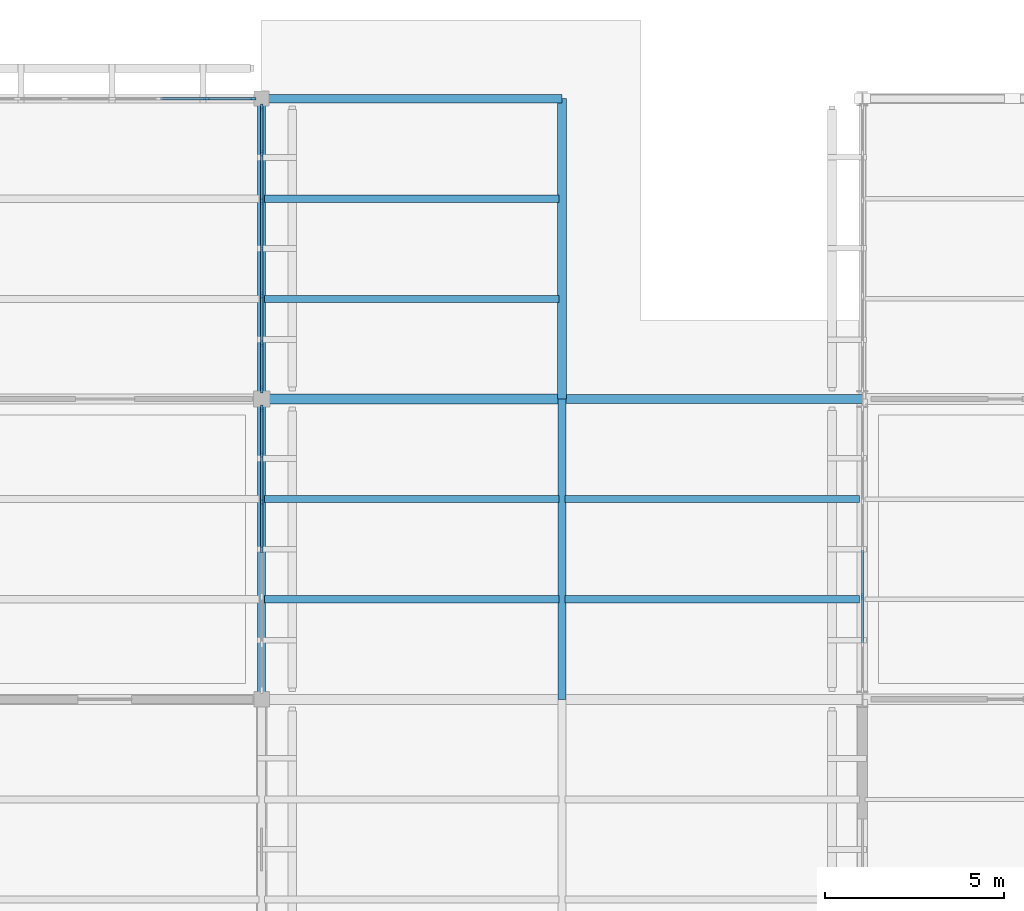
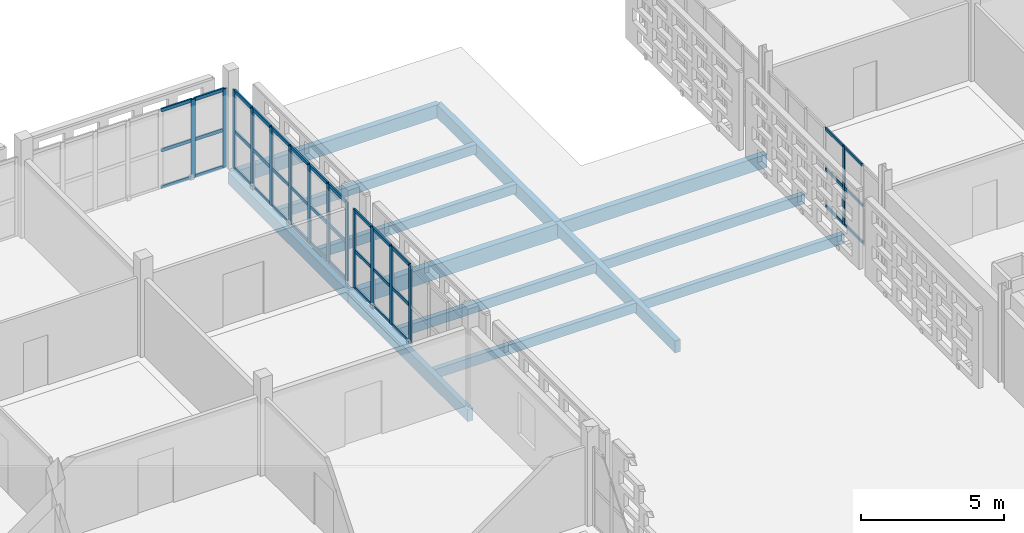
# One storey, part 41 of 166: 53 members, 13 beams, 4 elements without a shape of their own.
"""IFC4 building model written with IfcOpenShell, lengths in metres."""

from ifc_helpers import new_model, si_unit, direction, frame, origin, origin_2d, place, context, subcontext, project, spatial, rectangle, extrude, material, layer, layer_set, material_profile, profile_set, type_object, element, aggregate, save


model = new_model("IFC4")

# Units and contexts
model_context = context("Model", 3, precision=1e-05, world=origin(), true_north=direction((0.0, 1.0)))
body_context = subcontext(model_context, "Body", "Model", "MODEL_VIEW")
ifc_project = project(units=[si_unit("LENGTHUNIT", "METRE"), si_unit("AREAUNIT", "SQUARE_METRE"), si_unit("VOLUMEUNIT", "CUBIC_METRE"), si_unit("PLANEANGLEUNIT", "RADIAN"), si_unit("MASSUNIT", "GRAM", prefix="KILO")], contexts=[model_context])

# Site, building, storey
site_placement = place(None, origin())
site = spatial("IfcSite", under=ifc_project, at=site_placement, CompositionType="ELEMENT")
building_placement = place(site_placement, origin())
building = spatial("IfcBuilding", under=site, at=building_placement, Name="Varnapada Polytechnic", CompositionType="ELEMENT")
storey_placement = place(building_placement, frame((0.0, 0.0, 9.60009765625)))
storey = spatial("IfcBuildingStorey", under=building, at=storey_placement, Name="L02", CompositionType="ELEMENT", Elevation=9.60009765625)

# Beams
ifc_material_1 = material(Name="Glulam GL32h", Category="wood")
ifc_material_profile_1 = material_profile(ifc_material_1, rectangle(XDim=0.280029296875, YDim=0.639892578125, at=origin_2d()), Name="GL 280x640")
ifc_profile_set_1 = profile_set([ifc_material_profile_1], Name="Glulam GL32h")
beam_type_1 = type_object("IfcBeamType", Name="Laboratory primary glulam girder GG-02 (GL 280x640)", PredefinedType="BEAM", material=ifc_profile_set_1)
beam_1_placement = place(storey_placement, frame((33.60009765625, 117.60009765625, -0.590087890625), z_axis=(1.0, 0.0, 0.0), x_axis=(0.0, 1.0, 0.0)))
element("IfcBeam", 1, at=beam_1_placement, inside=storey, type_object=beam_type_1, Name="L02 beam X 5-6 at Y15", PredefinedType="BEAM", context=body_context, shape_type="SweptSolid", body=[
    extrude(rectangle(XDim=0.280029296875, YDim=0.639892578125, at=origin_2d()), origin(), (0.0, 0.0, 1.0), 8.39990234375),
])
ifc_material_profile_2 = material_profile(ifc_material_1, rectangle(XDim=0.219970703125, YDim=0.52001953125, at=origin_2d()), Name="GL 220x520")
ifc_profile_set_2 = profile_set([ifc_material_profile_2], Name="Glulam GL32h")
beam_type_2 = type_object("IfcBeamType", Name="Laboratory transverse glulam beam GB-12 (GL 220x520)", PredefinedType="BEAM", material=ifc_profile_set_2)
beam_2_placement = place(storey_placement, frame((33.60009765625, 109.199951171875, -0.530029296875), z_axis=(0.0, 1.0, 0.0), x_axis=(-1.0, 0.0, 0.0)))
element("IfcBeam", 2, at=beam_2_placement, inside=storey, type_object=beam_type_2, Name="L02 beam Y 14-15 at X5", PredefinedType="BEAM", context=body_context, shape_type="SweptSolid", body=[
    extrude(rectangle(XDim=0.219970703125, YDim=0.52001953125, at=origin_2d()), origin(), (0.0, 0.0, 1.0), 8.400146484375),
])
beam_3_placement = place(storey_placement, frame((33.60009765625, 117.60009765625, -0.530029296875), z_axis=(0.0, 1.0, 0.0), x_axis=(-1.0, 0.0, 0.0)))
element("IfcBeam", 3, at=beam_3_placement, inside=storey, type_object=beam_type_2, Name="L02 beam Y 15-16 at X5", PredefinedType="BEAM", context=body_context, shape_type="SweptSolid", body=[
    extrude(rectangle(XDim=0.219970703125, YDim=0.52001953125, at=origin_2d()), origin(), (0.0, 0.0, 1.0), 8.39990234375),
])
beam_4_placement = place(storey_placement, frame((42.0, 109.199951171875, -0.530029296875), z_axis=(0.0, 1.0, 0.0), x_axis=(-1.0, 0.0, 0.0)))
element("IfcBeam", 4, at=beam_4_placement, inside=storey, type_object=beam_type_2, Name="L02 beam Y 14-15 at X6", PredefinedType="BEAM", context=body_context, shape_type="SweptSolid", body=[
    extrude(rectangle(XDim=0.219970703125, YDim=0.52001953125, at=origin_2d()), origin(), (0.0, 0.0, 1.0), 8.400146484375),
])
ifc_material_profile_3 = material_profile(ifc_material_1, rectangle(XDim=0.199951171875, YDim=0.39990234375, at=origin_2d()), Name="GL 200x400")
ifc_profile_set_3 = profile_set([ifc_material_profile_3], Name="Glulam GL32h")
beam_type_3 = type_object("IfcBeamType", Name="Library/laboratory glulam floor joist GJ-01 (GL 200x400)", PredefinedType="JOIST", material=ifc_profile_set_3)
for number, where, z_axis, x_axis, name in (
    (5, (33.679931640625, 112.0, -0.47021484375), (1.0, 0.0, 0.0), (0.0, 1.0, 0.0), "L02 floor joist 5/14.1"),
    (6, (33.679931640625, 114.800048828125, -0.47021484375), (1.0, 0.0, 0.0), (0.0, 1.0, 0.0), "L02 floor joist 5/14.2"),
    (7, (33.679931640625, 120.39990234375, -0.47021484375), (1.0, 0.0, 0.0), (0.0, 1.0, 0.0), "L02 floor joist 5/15.1"),
    (8, (33.679931640625, 123.199951171875, -0.47021484375), (1.0, 0.0, 0.0), (0.0, 1.0, 0.0), "L02 floor joist 5/15.2"),
    (9, (42.080078125, 112.0, -0.47021484375), (1.0, 0.0, 0.0), (0.0, 1.0, 0.0), "L02 floor joist 6/14.1"),
    (10, (42.080078125, 114.800048828125, -0.47021484375), (1.0, 0.0, 0.0), (0.0, 1.0, 0.0), "L02 floor joist 6/14.2"),
):
    element("IfcBeam", number, at=place(storey_placement, frame(where, z_axis=z_axis, x_axis=x_axis)), inside=storey, type_object=beam_type_3, Name=name, PredefinedType="JOIST", context=body_context, shape_type="SweptSolid", body=[
        extrude(rectangle(XDim=0.199951171875, YDim=0.39990234375, at=origin_2d()), origin(), (0.0, 0.0, 1.0), 8.239990234375),
    ])

# Curtain wall, member
ifc_material_2 = material(Name="Double low-E laminated glass", Category="glass")
ifc_layer_1 = layer(ifc_material_2, 0.159912109375)
ifc_layer_set_1 = layer_set([ifc_layer_1], Name="Double low-E laminated glass")
curtain_wall_type_1 = type_object("IfcCurtainWallType", Name="Curtain Wall CW-02", PredefinedType="NOTDEFINED", material=ifc_layer_set_1)
curtain_wall_1_placement = place(storey_placement, origin())
curtain_wall_1 = element("IfcCurtainWall", 11, at=curtain_wall_1_placement, inside=storey, type_object=curtain_wall_type_1, Name="L02 unitised curtain wall CW-02 (160)", PredefinedType="NOTDEFINED")
ifc_material_3 = material(Name="Anodised aluminium", Category="aluminium")
ifc_material_profile_4 = material_profile(ifc_material_3, rectangle(XDim=0.06005859375, YDim=0.159912109375, at=origin_2d()), Name="ALU M60x160")
ifc_profile_set_4 = profile_set([ifc_material_profile_4], Name="Anodised aluminium")
member_type_1 = type_object("IfcMemberType", Name="Mullion M-01", PredefinedType="MULLION", material=ifc_profile_set_4)
member_1_placement = place(storey_placement, frame((50.39990234375, 112.074951171875, 0.0), z_axis=(0.0, 0.0, 1.0), x_axis=(-1.0, 0.0, 0.0)))
member_1 = element("IfcMember", 12, at=member_1_placement, type_object=member_type_1, Name="CW-02 mullion 3", PredefinedType="MULLION", context=body_context, shape_type="SweptSolid", body=[
    extrude(rectangle(XDim=0.06005859375, YDim=0.159912109375, at=origin_2d()), origin(), (0.0, 0.0, 1.0), 3.35986328125),
])

# Curtain wall, members
ifc_layer_2 = layer(ifc_material_2, 0.179931640625)
ifc_layer_set_2 = layer_set([ifc_layer_2], Name="Double low-E laminated glass")
curtain_wall_type_2 = type_object("IfcCurtainWallType", Name="Curtain Wall CW-03", PredefinedType="NOTDEFINED", material=ifc_layer_set_2)
curtain_wall_2_placement = place(storey_placement, origin())
curtain_wall_2 = element("IfcCurtainWall", 13, at=curtain_wall_2_placement, inside=storey, type_object=curtain_wall_type_2, Name="L02 unitised curtain wall CW-03 (148)", PredefinedType="NOTDEFINED")
ifc_material_profile_5 = material_profile(ifc_material_3, rectangle(XDim=0.06494140625, YDim=0.179931640625, at=origin_2d()), Name="ALU M65x180")
ifc_profile_set_5 = profile_set([ifc_material_profile_5], Name="Anodised aluminium")
member_type_2 = type_object("IfcMemberType", Name="Mullion M-02", PredefinedType="MULLION", material=ifc_profile_set_5)
member_2_placement = place(storey_placement, frame((33.60009765625, 117.33740234375, 0.0), z_axis=(0.0, 0.0, 1.0), x_axis=(1.0, 0.0, 0.0)))
member_2 = element("IfcMember", 14, at=member_2_placement, type_object=member_type_2, Name="CW-03 mullion 1", PredefinedType="MULLION", context=body_context, shape_type="SweptSolid", body=[
    extrude(rectangle(XDim=0.06494140625, YDim=0.179931640625, at=origin_2d()), origin(), (0.0, 0.0, 1.0), 3.35986328125),
])
member_3_placement = place(storey_placement, frame((33.60009765625, 116.044921875, 0.0), z_axis=(0.0, 0.0, 1.0), x_axis=(1.0, 0.0, 0.0)))
member_3 = element("IfcMember", 15, at=member_3_placement, type_object=member_type_2, Name="CW-03 mullion 2", PredefinedType="MULLION", context=body_context, shape_type="SweptSolid", body=[
    extrude(rectangle(XDim=0.06494140625, YDim=0.179931640625, at=origin_2d()), origin(), (0.0, 0.0, 1.0), 3.35986328125),
])
member_4_placement = place(storey_placement, frame((33.60009765625, 114.719970703125, 0.0), z_axis=(0.0, 0.0, 1.0), x_axis=(1.0, 0.0, 0.0)))
member_4 = element("IfcMember", 16, at=member_4_placement, type_object=member_type_2, Name="CW-03 mullion 3", PredefinedType="MULLION", context=body_context, shape_type="SweptSolid", body=[
    extrude(rectangle(XDim=0.06494140625, YDim=0.179931640625, at=origin_2d()), origin(), (0.0, 0.0, 1.0), 3.35986328125),
])
member_5_placement = place(storey_placement, frame((33.60009765625, 113.39501953125, 0.0), z_axis=(0.0, 0.0, 1.0), x_axis=(1.0, 0.0, 0.0)))
member_5 = element("IfcMember", 17, at=member_5_placement, type_object=member_type_2, Name="CW-03 mullion 4", PredefinedType="MULLION", context=body_context, shape_type="SweptSolid", body=[
    extrude(rectangle(XDim=0.06494140625, YDim=0.179931640625, at=origin_2d()), origin(), (0.0, 0.0, 1.0), 3.35986328125),
])

curtain_wall_3_placement = place(storey_placement, origin())
curtain_wall_3 = element("IfcCurtainWall", 18, at=curtain_wall_3_placement, inside=storey, type_object=curtain_wall_type_2, Name="L02 unitised curtain wall CW-03 (149)", PredefinedType="NOTDEFINED")
member_6_placement = place(storey_placement, frame((32.06494140625, 126.0, 0.0), z_axis=(0.0, 0.0, 1.0), x_axis=(0.0, 1.0, 0.0)))
member_6 = element("IfcMember", 19, at=member_6_placement, type_object=member_type_2, Name="CW-03 mullion 6", PredefinedType="MULLION", context=body_context, shape_type="SweptSolid", body=[
    extrude(rectangle(XDim=0.06494140625, YDim=0.179931640625, at=origin_2d()), origin(), (0.0, 0.0, 1.0), 3.35986328125),
])
member_7_placement = place(storey_placement, frame((33.357421875, 126.0, 0.0), z_axis=(0.0, 0.0, 1.0), x_axis=(0.0, 1.0, 0.0)))
member_7 = element("IfcMember", 20, at=member_7_placement, type_object=member_type_2, Name="CW-03 mullion 7", PredefinedType="MULLION", context=body_context, shape_type="SweptSolid", body=[
    extrude(rectangle(XDim=0.06494140625, YDim=0.179931640625, at=origin_2d()), origin(), (0.0, 0.0, 1.0), 3.35986328125),
])

curtain_wall_4_placement = place(storey_placement, origin())
curtain_wall_4 = element("IfcCurtainWall", 21, at=curtain_wall_4_placement, inside=storey, type_object=curtain_wall_type_2, Name="L02 unitised curtain wall CW-03 (150)", PredefinedType="NOTDEFINED")
member_8_placement = place(storey_placement, frame((33.60009765625, 125.757568359375, 0.0), z_axis=(0.0, 0.0, 1.0), x_axis=(1.0, 0.0, 0.0)))
member_8 = element("IfcMember", 22, at=member_8_placement, type_object=member_type_2, Name="CW-03 mullion 1", PredefinedType="MULLION", context=body_context, shape_type="SweptSolid", body=[
    extrude(rectangle(XDim=0.06494140625, YDim=0.179931640625, at=origin_2d()), origin(), (0.0, 0.0, 1.0), 3.35986328125),
])
member_9_placement = place(storey_placement, frame((33.60009765625, 124.46337890625, 0.0), z_axis=(0.0, 0.0, 1.0), x_axis=(1.0, 0.0, 0.0)))
member_9 = element("IfcMember", 23, at=member_9_placement, type_object=member_type_2, Name="CW-03 mullion 2", PredefinedType="MULLION", context=body_context, shape_type="SweptSolid", body=[
    extrude(rectangle(XDim=0.06494140625, YDim=0.179931640625, at=origin_2d()), origin(), (0.0, 0.0, 1.0), 3.35986328125),
])
member_10_placement = place(storey_placement, frame((33.60009765625, 123.13671875, 0.0), z_axis=(0.0, 0.0, 1.0), x_axis=(1.0, 0.0, 0.0)))
member_10 = element("IfcMember", 24, at=member_10_placement, type_object=member_type_2, Name="CW-03 mullion 3", PredefinedType="MULLION", context=body_context, shape_type="SweptSolid", body=[
    extrude(rectangle(XDim=0.06494140625, YDim=0.179931640625, at=origin_2d()), origin(), (0.0, 0.0, 1.0), 3.35986328125),
])
member_11_placement = place(storey_placement, frame((33.60009765625, 121.81005859375, 0.0), z_axis=(0.0, 0.0, 1.0), x_axis=(1.0, 0.0, 0.0)))
member_11 = element("IfcMember", 25, at=member_11_placement, type_object=member_type_2, Name="CW-03 mullion 4", PredefinedType="MULLION", context=body_context, shape_type="SweptSolid", body=[
    extrude(rectangle(XDim=0.06494140625, YDim=0.179931640625, at=origin_2d()), origin(), (0.0, 0.0, 1.0), 3.35986328125),
])
member_12_placement = place(storey_placement, frame((33.60009765625, 120.4833984375, 0.0), z_axis=(0.0, 0.0, 1.0), x_axis=(1.0, 0.0, 0.0)))
member_12 = element("IfcMember", 26, at=member_12_placement, type_object=member_type_2, Name="CW-03 mullion 5", PredefinedType="MULLION", context=body_context, shape_type="SweptSolid", body=[
    extrude(rectangle(XDim=0.06494140625, YDim=0.179931640625, at=origin_2d()), origin(), (0.0, 0.0, 1.0), 3.35986328125),
])
member_13_placement = place(storey_placement, frame((33.60009765625, 119.15673828125, 0.0), z_axis=(0.0, 0.0, 1.0), x_axis=(1.0, 0.0, 0.0)))
member_13 = element("IfcMember", 27, at=member_13_placement, type_object=member_type_2, Name="CW-03 mullion 6", PredefinedType="MULLION", context=body_context, shape_type="SweptSolid", body=[
    extrude(rectangle(XDim=0.06494140625, YDim=0.179931640625, at=origin_2d()), origin(), (0.0, 0.0, 1.0), 3.35986328125),
])
member_14_placement = place(storey_placement, frame((33.60009765625, 117.862548828125, 0.0), z_axis=(0.0, 0.0, 1.0), x_axis=(1.0, 0.0, 0.0)))
member_14 = element("IfcMember", 28, at=member_14_placement, type_object=member_type_2, Name="CW-03 mullion 7", PredefinedType="MULLION", context=body_context, shape_type="SweptSolid", body=[
    extrude(rectangle(XDim=0.06494140625, YDim=0.179931640625, at=origin_2d()), origin(), (0.0, 0.0, 1.0), 3.35986328125),
])

# Beams
ifc_material_profile_6 = material_profile(ifc_material_1, rectangle(XDim=0.239990234375, YDim=0.56005859375, at=origin_2d()), Name="GL 240x560")
ifc_profile_set_6 = profile_set([ifc_material_profile_6], Name="Glulam GL32h")
beam_type_4 = type_object("IfcBeamType", Name="Perimeter glulam spandrel beam SP-02 (GL 240x560)", PredefinedType="SPANDREL", material=ifc_profile_set_6)
for number, where, z_axis, x_axis, name in (
    (29, (33.60009765625, 126.0, -0.550048828125), (1.0, 0.0, 0.0), (0.0, 1.0, 0.0), "L02 beam X 5-6 at Y16"),
    (30, (42.0, 117.60009765625, -0.550048828125), (1.0, 0.0, 0.0), (0.0, 1.0, 0.0), "L02 beam X 6-7 at Y15"),
    (31, (42.0, 117.60009765625, -0.550048828125), (0.0, 1.0, 0.0), (-1.0, 0.0, 0.0), "L02 beam Y 15-16 at X6"),
):
    element("IfcBeam", number, at=place(storey_placement, frame(where, z_axis=z_axis, x_axis=x_axis)), inside=storey, type_object=beam_type_4, Name=name, PredefinedType="SPANDREL", context=body_context, shape_type="SweptSolid", body=[
        extrude(rectangle(XDim=0.239990234375, YDim=0.56005859375, at=origin_2d()), origin(), (0.0, 0.0, 1.0), 8.39990234375),
    ])

# Member
ifc_material_profile_7 = material_profile(ifc_material_3, rectangle(XDim=0.06005859375, YDim=0.1201171875, at=origin_2d()), Name="ALU T60x120")
ifc_profile_set_7 = profile_set([ifc_material_profile_7], Name="Anodised aluminium")
member_type_3 = type_object("IfcMemberType", Name="Transom T-01", PredefinedType="USERDEFINED", material=ifc_profile_set_7)
member_15_placement = place(storey_placement, frame((50.39990234375, 110.780029296875, 0.02978515625), z_axis=(0.0, 1.0, 0.0), x_axis=(-1.0, 0.0, 0.0)))
member_15 = element("IfcMember", 32, at=member_15_placement, type_object=member_type_3, Name="CW-02 transom 2.1", ObjectType="TRANSOM", PredefinedType="USERDEFINED", context=body_context, shape_type="SweptSolid", body=[
    extrude(rectangle(XDim=0.06005859375, YDim=0.1201171875, at=origin_2d()), origin(), (0.0, 0.0, 1.0), 1.264892578125),
])

member_16_placement = place(storey_placement, frame((50.39990234375, 110.780029296875, 1.61279296875), z_axis=(0.0, 1.0, 0.0), x_axis=(-1.0, 0.0, 0.0)))
member_16 = element("IfcMember", 33, at=member_16_placement, type_object=member_type_3, Name="CW-02 transom 2.2", ObjectType="TRANSOM", PredefinedType="USERDEFINED", context=body_context, shape_type="SweptSolid", body=[
    extrude(rectangle(XDim=0.06005859375, YDim=0.1201171875, at=origin_2d()), origin(), (0.0, 0.0, 1.0), 1.264892578125),
])

member_17_placement = place(storey_placement, frame((50.39990234375, 110.780029296875, 3.329833984375), z_axis=(0.0, 1.0, 0.0), x_axis=(-1.0, 0.0, 0.0)))
member_17 = element("IfcMember", 34, at=member_17_placement, type_object=member_type_3, Name="CW-02 transom 2.3", ObjectType="TRANSOM", PredefinedType="USERDEFINED", context=body_context, shape_type="SweptSolid", body=[
    extrude(rectangle(XDim=0.06005859375, YDim=0.1201171875, at=origin_2d()), origin(), (0.0, 0.0, 1.0), 1.264892578125),
])

member_18_placement = place(storey_placement, frame((50.39990234375, 112.10498046875, 0.02978515625), z_axis=(0.0, 1.0, 0.0), x_axis=(-1.0, 0.0, 0.0)))
member_18 = element("IfcMember", 35, at=member_18_placement, type_object=member_type_3, Name="CW-02 transom 3.1", ObjectType="TRANSOM", PredefinedType="USERDEFINED", context=body_context, shape_type="SweptSolid", body=[
    extrude(rectangle(XDim=0.06005859375, YDim=0.1201171875, at=origin_2d()), origin(), (0.0, 0.0, 1.0), 1.26513671875),
])

member_19_placement = place(storey_placement, frame((50.39990234375, 112.10498046875, 1.61279296875), z_axis=(0.0, 1.0, 0.0), x_axis=(-1.0, 0.0, 0.0)))
member_19 = element("IfcMember", 36, at=member_19_placement, type_object=member_type_3, Name="CW-02 transom 3.2", ObjectType="TRANSOM", PredefinedType="USERDEFINED", context=body_context, shape_type="SweptSolid", body=[
    extrude(rectangle(XDim=0.06005859375, YDim=0.1201171875, at=origin_2d()), origin(), (0.0, 0.0, 1.0), 1.26513671875),
])

member_20_placement = place(storey_placement, frame((50.39990234375, 112.10498046875, 3.329833984375), z_axis=(0.0, 1.0, 0.0), x_axis=(-1.0, 0.0, 0.0)))
member_20 = element("IfcMember", 37, at=member_20_placement, type_object=member_type_3, Name="CW-02 transom 3.3", ObjectType="TRANSOM", PredefinedType="USERDEFINED", context=body_context, shape_type="SweptSolid", body=[
    extrude(rectangle(XDim=0.06005859375, YDim=0.1201171875, at=origin_2d()), origin(), (0.0, 0.0, 1.0), 1.26513671875),
])

aggregate(curtain_wall_1, [member_1, member_15, member_16, member_17, member_18, member_19, member_20])

ifc_material_profile_8 = material_profile(ifc_material_3, rectangle(XDim=0.06494140625, YDim=0.139892578125, at=origin_2d()), Name="ALU T65x140")
ifc_profile_set_8 = profile_set([ifc_material_profile_8], Name="Anodised aluminium")
member_type_4 = type_object("IfcMemberType", Name="Transom T-02", PredefinedType="USERDEFINED", material=ifc_profile_set_8)
member_21_placement = place(storey_placement, frame((33.60009765625, 117.304931640625, 0.032470703125), z_axis=(0.0, -1.0, 0.0), x_axis=(1.0, 0.0, 0.0)))
member_21 = element("IfcMember", 38, at=member_21_placement, type_object=member_type_4, Name="CW-03 transom 1.1", ObjectType="TRANSOM", PredefinedType="USERDEFINED", context=body_context, shape_type="SweptSolid", body=[
    extrude(rectangle(XDim=0.06494140625, YDim=0.139892578125, at=origin_2d()), origin(), (0.0, 0.0, 1.0), 1.2275390625),
])

member_22_placement = place(storey_placement, frame((33.60009765625, 117.304931640625, 1.61279296875), z_axis=(0.0, -1.0, 0.0), x_axis=(1.0, 0.0, 0.0)))
member_22 = element("IfcMember", 39, at=member_22_placement, type_object=member_type_4, Name="CW-03 transom 1.2", ObjectType="TRANSOM", PredefinedType="USERDEFINED", context=body_context, shape_type="SweptSolid", body=[
    extrude(rectangle(XDim=0.06494140625, YDim=0.139892578125, at=origin_2d()), origin(), (0.0, 0.0, 1.0), 1.2275390625),
])

member_23_placement = place(storey_placement, frame((33.60009765625, 117.304931640625, 3.327392578125), z_axis=(0.0, -1.0, 0.0), x_axis=(1.0, 0.0, 0.0)))
member_23 = element("IfcMember", 40, at=member_23_placement, type_object=member_type_4, Name="CW-03 transom 1.3", ObjectType="TRANSOM", PredefinedType="USERDEFINED", context=body_context, shape_type="SweptSolid", body=[
    extrude(rectangle(XDim=0.06494140625, YDim=0.139892578125, at=origin_2d()), origin(), (0.0, 0.0, 1.0), 1.2275390625),
])

member_24_placement = place(storey_placement, frame((33.60009765625, 116.012451171875, 0.032470703125), z_axis=(0.0, -1.0, 0.0), x_axis=(1.0, 0.0, 0.0)))
member_24 = element("IfcMember", 41, at=member_24_placement, type_object=member_type_4, Name="CW-03 transom 2.1", ObjectType="TRANSOM", PredefinedType="USERDEFINED", context=body_context, shape_type="SweptSolid", body=[
    extrude(rectangle(XDim=0.06494140625, YDim=0.139892578125, at=origin_2d()), origin(), (0.0, 0.0, 1.0), 1.260009765625),
])

member_25_placement = place(storey_placement, frame((33.60009765625, 116.012451171875, 1.61279296875), z_axis=(0.0, -1.0, 0.0), x_axis=(1.0, 0.0, 0.0)))
member_25 = element("IfcMember", 42, at=member_25_placement, type_object=member_type_4, Name="CW-03 transom 2.2", ObjectType="TRANSOM", PredefinedType="USERDEFINED", context=body_context, shape_type="SweptSolid", body=[
    extrude(rectangle(XDim=0.06494140625, YDim=0.139892578125, at=origin_2d()), origin(), (0.0, 0.0, 1.0), 1.260009765625),
])

member_26_placement = place(storey_placement, frame((33.60009765625, 116.012451171875, 3.327392578125), z_axis=(0.0, -1.0, 0.0), x_axis=(1.0, 0.0, 0.0)))
member_26 = element("IfcMember", 43, at=member_26_placement, type_object=member_type_4, Name="CW-03 transom 2.3", ObjectType="TRANSOM", PredefinedType="USERDEFINED", context=body_context, shape_type="SweptSolid", body=[
    extrude(rectangle(XDim=0.06494140625, YDim=0.139892578125, at=origin_2d()), origin(), (0.0, 0.0, 1.0), 1.260009765625),
])

member_27_placement = place(storey_placement, frame((33.60009765625, 114.6875, 0.032470703125), z_axis=(0.0, -1.0, 0.0), x_axis=(1.0, 0.0, 0.0)))
member_27 = element("IfcMember", 44, at=member_27_placement, type_object=member_type_4, Name="CW-03 transom 3.1", ObjectType="TRANSOM", PredefinedType="USERDEFINED", context=body_context, shape_type="SweptSolid", body=[
    extrude(rectangle(XDim=0.06494140625, YDim=0.139892578125, at=origin_2d()), origin(), (0.0, 0.0, 1.0), 1.260009765625),
])

member_28_placement = place(storey_placement, frame((33.60009765625, 114.6875, 1.61279296875), z_axis=(0.0, -1.0, 0.0), x_axis=(1.0, 0.0, 0.0)))
member_28 = element("IfcMember", 45, at=member_28_placement, type_object=member_type_4, Name="CW-03 transom 3.2", ObjectType="TRANSOM", PredefinedType="USERDEFINED", context=body_context, shape_type="SweptSolid", body=[
    extrude(rectangle(XDim=0.06494140625, YDim=0.139892578125, at=origin_2d()), origin(), (0.0, 0.0, 1.0), 1.260009765625),
])

member_29_placement = place(storey_placement, frame((33.60009765625, 114.6875, 3.327392578125), z_axis=(0.0, -1.0, 0.0), x_axis=(1.0, 0.0, 0.0)))
member_29 = element("IfcMember", 46, at=member_29_placement, type_object=member_type_4, Name="CW-03 transom 3.3", ObjectType="TRANSOM", PredefinedType="USERDEFINED", context=body_context, shape_type="SweptSolid", body=[
    extrude(rectangle(XDim=0.06494140625, YDim=0.139892578125, at=origin_2d()), origin(), (0.0, 0.0, 1.0), 1.260009765625),
])

aggregate(curtain_wall_2, [member_2, member_3, member_4, member_5, member_21, member_22, member_23, member_24, member_25, member_26, member_27, member_28, member_29])

member_30_placement = place(storey_placement, frame((30.7724609375, 126.0, 0.032470703125), z_axis=(1.0, 0.0, 0.0), x_axis=(0.0, 1.0, 0.0)))
member_30 = element("IfcMember", 47, at=member_30_placement, type_object=member_type_4, Name="CW-03 transom 5.1", ObjectType="TRANSOM", PredefinedType="USERDEFINED", context=body_context, shape_type="SweptSolid", body=[
    extrude(rectangle(XDim=0.06494140625, YDim=0.139892578125, at=origin_2d()), origin(), (0.0, 0.0, 1.0), 1.260009765625),
])

member_31_placement = place(storey_placement, frame((30.7724609375, 126.0, 1.61279296875), z_axis=(1.0, 0.0, 0.0), x_axis=(0.0, 1.0, 0.0)))
member_31 = element("IfcMember", 48, at=member_31_placement, type_object=member_type_4, Name="CW-03 transom 5.2", ObjectType="TRANSOM", PredefinedType="USERDEFINED", context=body_context, shape_type="SweptSolid", body=[
    extrude(rectangle(XDim=0.06494140625, YDim=0.139892578125, at=origin_2d()), origin(), (0.0, 0.0, 1.0), 1.260009765625),
])

member_32_placement = place(storey_placement, frame((30.7724609375, 126.0, 3.327392578125), z_axis=(1.0, 0.0, 0.0), x_axis=(0.0, 1.0, 0.0)))
member_32 = element("IfcMember", 49, at=member_32_placement, type_object=member_type_4, Name="CW-03 transom 5.3", ObjectType="TRANSOM", PredefinedType="USERDEFINED", context=body_context, shape_type="SweptSolid", body=[
    extrude(rectangle(XDim=0.06494140625, YDim=0.139892578125, at=origin_2d()), origin(), (0.0, 0.0, 1.0), 1.260009765625),
])

member_33_placement = place(storey_placement, frame((32.097412109375, 126.0, 0.032470703125), z_axis=(1.0, 0.0, 0.0), x_axis=(0.0, 1.0, 0.0)))
member_33 = element("IfcMember", 50, at=member_33_placement, type_object=member_type_4, Name="CW-03 transom 6.1", ObjectType="TRANSOM", PredefinedType="USERDEFINED", context=body_context, shape_type="SweptSolid", body=[
    extrude(rectangle(XDim=0.06494140625, YDim=0.139892578125, at=origin_2d()), origin(), (0.0, 0.0, 1.0), 1.2275390625),
])

member_34_placement = place(storey_placement, frame((32.097412109375, 126.0, 1.61279296875), z_axis=(1.0, 0.0, 0.0), x_axis=(0.0, 1.0, 0.0)))
member_34 = element("IfcMember", 51, at=member_34_placement, type_object=member_type_4, Name="CW-03 transom 6.2", ObjectType="TRANSOM", PredefinedType="USERDEFINED", context=body_context, shape_type="SweptSolid", body=[
    extrude(rectangle(XDim=0.06494140625, YDim=0.139892578125, at=origin_2d()), origin(), (0.0, 0.0, 1.0), 1.2275390625),
])

member_35_placement = place(storey_placement, frame((32.097412109375, 126.0, 3.327392578125), z_axis=(1.0, 0.0, 0.0), x_axis=(0.0, 1.0, 0.0)))
member_35 = element("IfcMember", 52, at=member_35_placement, type_object=member_type_4, Name="CW-03 transom 6.3", ObjectType="TRANSOM", PredefinedType="USERDEFINED", context=body_context, shape_type="SweptSolid", body=[
    extrude(rectangle(XDim=0.06494140625, YDim=0.139892578125, at=origin_2d()), origin(), (0.0, 0.0, 1.0), 1.2275390625),
])

aggregate(curtain_wall_3, [member_6, member_7, member_30, member_31, member_32, member_33, member_34, member_35])

member_36_placement = place(storey_placement, frame((33.60009765625, 125.72509765625, 0.032470703125), z_axis=(0.0, -1.0, 0.0), x_axis=(1.0, 0.0, 0.0)))
member_36 = element("IfcMember", 53, at=member_36_placement, type_object=member_type_4, Name="CW-03 transom 1.1", ObjectType="TRANSOM", PredefinedType="USERDEFINED", context=body_context, shape_type="SweptSolid", body=[
    extrude(rectangle(XDim=0.06494140625, YDim=0.139892578125, at=origin_2d()), origin(), (0.0, 0.0, 1.0), 1.229248046875),
])

member_37_placement = place(storey_placement, frame((33.60009765625, 125.72509765625, 1.61279296875), z_axis=(0.0, -1.0, 0.0), x_axis=(1.0, 0.0, 0.0)))
member_37 = element("IfcMember", 54, at=member_37_placement, type_object=member_type_4, Name="CW-03 transom 1.2", ObjectType="TRANSOM", PredefinedType="USERDEFINED", context=body_context, shape_type="SweptSolid", body=[
    extrude(rectangle(XDim=0.06494140625, YDim=0.139892578125, at=origin_2d()), origin(), (0.0, 0.0, 1.0), 1.229248046875),
])

member_38_placement = place(storey_placement, frame((33.60009765625, 125.72509765625, 3.327392578125), z_axis=(0.0, -1.0, 0.0), x_axis=(1.0, 0.0, 0.0)))
member_38 = element("IfcMember", 55, at=member_38_placement, type_object=member_type_4, Name="CW-03 transom 1.3", ObjectType="TRANSOM", PredefinedType="USERDEFINED", context=body_context, shape_type="SweptSolid", body=[
    extrude(rectangle(XDim=0.06494140625, YDim=0.139892578125, at=origin_2d()), origin(), (0.0, 0.0, 1.0), 1.229248046875),
])

member_39_placement = place(storey_placement, frame((33.60009765625, 124.430908203125, 0.032470703125), z_axis=(0.0, -1.0, 0.0), x_axis=(1.0, 0.0, 0.0)))
member_39 = element("IfcMember", 56, at=member_39_placement, type_object=member_type_4, Name="CW-03 transom 2.1", ObjectType="TRANSOM", PredefinedType="USERDEFINED", context=body_context, shape_type="SweptSolid", body=[
    extrude(rectangle(XDim=0.06494140625, YDim=0.139892578125, at=origin_2d()), origin(), (0.0, 0.0, 1.0), 1.26171875),
])

member_40_placement = place(storey_placement, frame((33.60009765625, 124.430908203125, 1.61279296875), z_axis=(0.0, -1.0, 0.0), x_axis=(1.0, 0.0, 0.0)))
member_40 = element("IfcMember", 57, at=member_40_placement, type_object=member_type_4, Name="CW-03 transom 2.2", ObjectType="TRANSOM", PredefinedType="USERDEFINED", context=body_context, shape_type="SweptSolid", body=[
    extrude(rectangle(XDim=0.06494140625, YDim=0.139892578125, at=origin_2d()), origin(), (0.0, 0.0, 1.0), 1.26171875),
])

member_41_placement = place(storey_placement, frame((33.60009765625, 124.430908203125, 3.327392578125), z_axis=(0.0, -1.0, 0.0), x_axis=(1.0, 0.0, 0.0)))
member_41 = element("IfcMember", 58, at=member_41_placement, type_object=member_type_4, Name="CW-03 transom 2.3", ObjectType="TRANSOM", PredefinedType="USERDEFINED", context=body_context, shape_type="SweptSolid", body=[
    extrude(rectangle(XDim=0.06494140625, YDim=0.139892578125, at=origin_2d()), origin(), (0.0, 0.0, 1.0), 1.26171875),
])

member_42_placement = place(storey_placement, frame((33.60009765625, 123.104248046875, 0.032470703125), z_axis=(0.0, -1.0, 0.0), x_axis=(1.0, 0.0, 0.0)))
member_42 = element("IfcMember", 59, at=member_42_placement, type_object=member_type_4, Name="CW-03 transom 3.1", ObjectType="TRANSOM", PredefinedType="USERDEFINED", context=body_context, shape_type="SweptSolid", body=[
    extrude(rectangle(XDim=0.06494140625, YDim=0.139892578125, at=origin_2d()), origin(), (0.0, 0.0, 1.0), 1.26171875),
])

member_43_placement = place(storey_placement, frame((33.60009765625, 123.104248046875, 1.61279296875), z_axis=(0.0, -1.0, 0.0), x_axis=(1.0, 0.0, 0.0)))
member_43 = element("IfcMember", 60, at=member_43_placement, type_object=member_type_4, Name="CW-03 transom 3.2", ObjectType="TRANSOM", PredefinedType="USERDEFINED", context=body_context, shape_type="SweptSolid", body=[
    extrude(rectangle(XDim=0.06494140625, YDim=0.139892578125, at=origin_2d()), origin(), (0.0, 0.0, 1.0), 1.26171875),
])

member_44_placement = place(storey_placement, frame((33.60009765625, 123.104248046875, 3.327392578125), z_axis=(0.0, -1.0, 0.0), x_axis=(1.0, 0.0, 0.0)))
member_44 = element("IfcMember", 61, at=member_44_placement, type_object=member_type_4, Name="CW-03 transom 3.3", ObjectType="TRANSOM", PredefinedType="USERDEFINED", context=body_context, shape_type="SweptSolid", body=[
    extrude(rectangle(XDim=0.06494140625, YDim=0.139892578125, at=origin_2d()), origin(), (0.0, 0.0, 1.0), 1.26171875),
])

member_45_placement = place(storey_placement, frame((33.60009765625, 121.777587890625, 0.032470703125), z_axis=(0.0, -1.0, 0.0), x_axis=(1.0, 0.0, 0.0)))
member_45 = element("IfcMember", 62, at=member_45_placement, type_object=member_type_4, Name="CW-03 transom 4.1", ObjectType="TRANSOM", PredefinedType="USERDEFINED", context=body_context, shape_type="SweptSolid", body=[
    extrude(rectangle(XDim=0.06494140625, YDim=0.139892578125, at=origin_2d()), origin(), (0.0, 0.0, 1.0), 1.26171875),
])

member_46_placement = place(storey_placement, frame((33.60009765625, 121.777587890625, 1.61279296875), z_axis=(0.0, -1.0, 0.0), x_axis=(1.0, 0.0, 0.0)))
member_46 = element("IfcMember", 63, at=member_46_placement, type_object=member_type_4, Name="CW-03 transom 4.2", ObjectType="TRANSOM", PredefinedType="USERDEFINED", context=body_context, shape_type="SweptSolid", body=[
    extrude(rectangle(XDim=0.06494140625, YDim=0.139892578125, at=origin_2d()), origin(), (0.0, 0.0, 1.0), 1.26171875),
])

member_47_placement = place(storey_placement, frame((33.60009765625, 121.777587890625, 3.327392578125), z_axis=(0.0, -1.0, 0.0), x_axis=(1.0, 0.0, 0.0)))
member_47 = element("IfcMember", 64, at=member_47_placement, type_object=member_type_4, Name="CW-03 transom 4.3", ObjectType="TRANSOM", PredefinedType="USERDEFINED", context=body_context, shape_type="SweptSolid", body=[
    extrude(rectangle(XDim=0.06494140625, YDim=0.139892578125, at=origin_2d()), origin(), (0.0, 0.0, 1.0), 1.26171875),
])

member_48_placement = place(storey_placement, frame((33.60009765625, 120.450927734375, 0.032470703125), z_axis=(0.0, -1.0, 0.0), x_axis=(1.0, 0.0, 0.0)))
member_48 = element("IfcMember", 65, at=member_48_placement, type_object=member_type_4, Name="CW-03 transom 5.1", ObjectType="TRANSOM", PredefinedType="USERDEFINED", context=body_context, shape_type="SweptSolid", body=[
    extrude(rectangle(XDim=0.06494140625, YDim=0.139892578125, at=origin_2d()), origin(), (0.0, 0.0, 1.0), 1.26171875),
])

member_49_placement = place(storey_placement, frame((33.60009765625, 120.450927734375, 1.61279296875), z_axis=(0.0, -1.0, 0.0), x_axis=(1.0, 0.0, 0.0)))
member_49 = element("IfcMember", 66, at=member_49_placement, type_object=member_type_4, Name="CW-03 transom 5.2", ObjectType="TRANSOM", PredefinedType="USERDEFINED", context=body_context, shape_type="SweptSolid", body=[
    extrude(rectangle(XDim=0.06494140625, YDim=0.139892578125, at=origin_2d()), origin(), (0.0, 0.0, 1.0), 1.26171875),
])

member_50_placement = place(storey_placement, frame((33.60009765625, 120.450927734375, 3.327392578125), z_axis=(0.0, -1.0, 0.0), x_axis=(1.0, 0.0, 0.0)))
member_50 = element("IfcMember", 67, at=member_50_placement, type_object=member_type_4, Name="CW-03 transom 5.3", ObjectType="TRANSOM", PredefinedType="USERDEFINED", context=body_context, shape_type="SweptSolid", body=[
    extrude(rectangle(XDim=0.06494140625, YDim=0.139892578125, at=origin_2d()), origin(), (0.0, 0.0, 1.0), 1.26171875),
])

member_51_placement = place(storey_placement, frame((33.60009765625, 119.124267578125, 0.032470703125), z_axis=(0.0, -1.0, 0.0), x_axis=(1.0, 0.0, 0.0)))
member_51 = element("IfcMember", 68, at=member_51_placement, type_object=member_type_4, Name="CW-03 transom 6.1", ObjectType="TRANSOM", PredefinedType="USERDEFINED", context=body_context, shape_type="SweptSolid", body=[
    extrude(rectangle(XDim=0.06494140625, YDim=0.139892578125, at=origin_2d()), origin(), (0.0, 0.0, 1.0), 1.229248046875),
])

member_52_placement = place(storey_placement, frame((33.60009765625, 119.124267578125, 1.61279296875), z_axis=(0.0, -1.0, 0.0), x_axis=(1.0, 0.0, 0.0)))
member_52 = element("IfcMember", 69, at=member_52_placement, type_object=member_type_4, Name="CW-03 transom 6.2", ObjectType="TRANSOM", PredefinedType="USERDEFINED", context=body_context, shape_type="SweptSolid", body=[
    extrude(rectangle(XDim=0.06494140625, YDim=0.139892578125, at=origin_2d()), origin(), (0.0, 0.0, 1.0), 1.229248046875),
])

member_53_placement = place(storey_placement, frame((33.60009765625, 119.124267578125, 3.327392578125), z_axis=(0.0, -1.0, 0.0), x_axis=(1.0, 0.0, 0.0)))
member_53 = element("IfcMember", 70, at=member_53_placement, type_object=member_type_4, Name="CW-03 transom 6.3", ObjectType="TRANSOM", PredefinedType="USERDEFINED", context=body_context, shape_type="SweptSolid", body=[
    extrude(rectangle(XDim=0.06494140625, YDim=0.139892578125, at=origin_2d()), origin(), (0.0, 0.0, 1.0), 1.229248046875),
])

aggregate(curtain_wall_4, [member_8, member_9, member_10, member_11, member_12, member_13, member_14, member_36, member_37, member_38, member_39, member_40, member_41, member_42, member_43, member_44, member_45, member_46, member_47, member_48, member_49, member_50, member_51, member_52, member_53])

save(model, "model.ifc")
